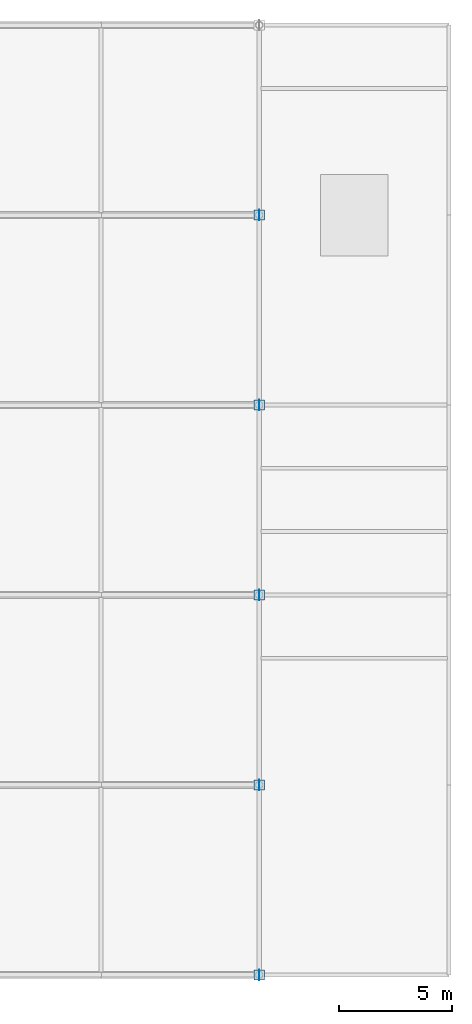
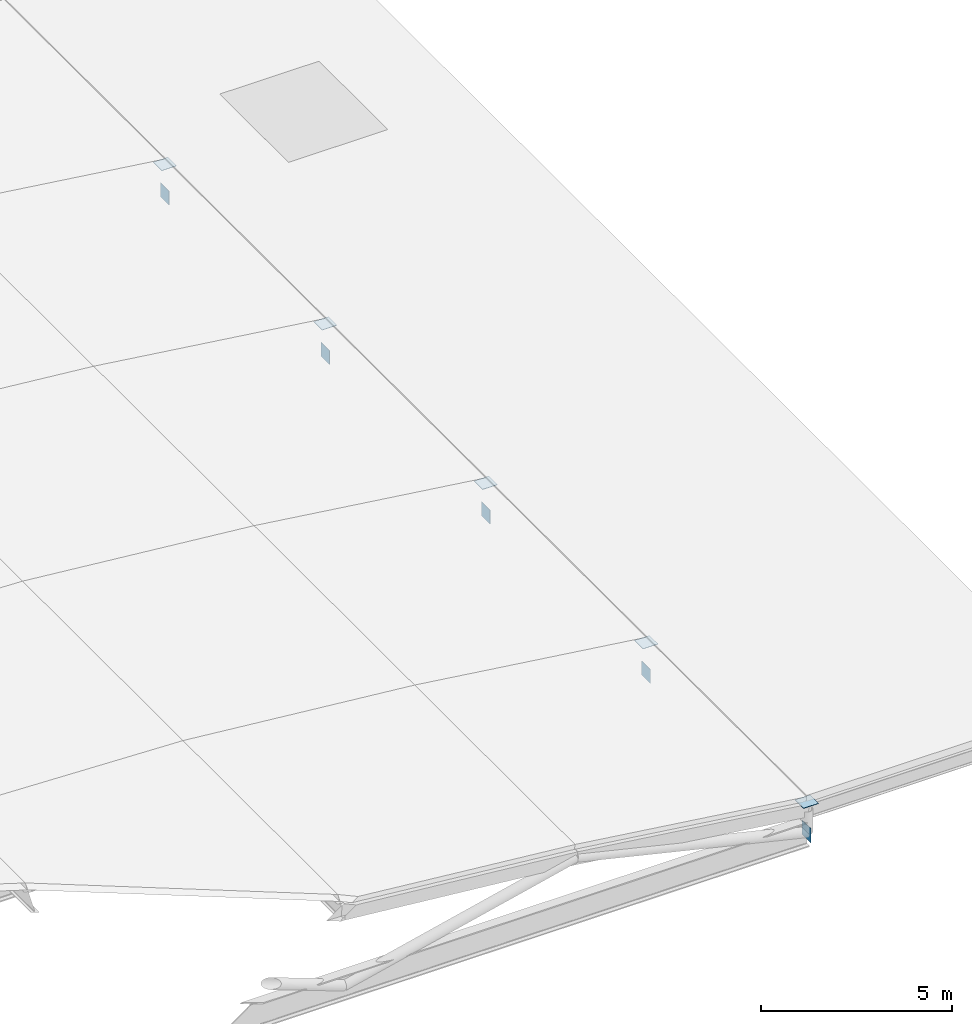
# One storey, part 10 of 11: 10 plates.
"""IFC4 building model written with IfcOpenShell, lengths in metres."""

from ifc_helpers import new_model, si_unit, direction, frame, origin, origin_2d, place, context, subcontext, project, spatial, rectangle, extrude, material, layer, layer_set, type_object, element, save


model = new_model("IFC4")

# Units and contexts
model_context = context("Model", 3, precision=1e-05, world=origin(), true_north=direction((0.0, 1.0)))
body_context = subcontext(model_context, "Body", "Model", "MODEL_VIEW")
ifc_project = project(units=[si_unit("LENGTHUNIT", "METRE"), si_unit("AREAUNIT", "SQUARE_METRE"), si_unit("VOLUMEUNIT", "CUBIC_METRE"), si_unit("PLANEANGLEUNIT", "RADIAN"), si_unit("MASSUNIT", "GRAM", prefix="KILO"), si_unit("THERMODYNAMICTEMPERATUREUNIT", "KELVIN"), si_unit("POWERUNIT", "WATT")], contexts=[model_context])

# Site, building, storey
site_placement = place(None, origin())
site = spatial("IfcSite", under=ifc_project, at=site_placement, CompositionType="ELEMENT")
building_placement = place(site_placement, origin())
building = spatial("IfcBuilding", under=site, at=building_placement, Name="Tembeka Court Mobility Hub", CompositionType="ELEMENT")
storey_placement = place(building_placement, frame((0.0, 0.0, 28.800048828125)))
storey = spatial("IfcBuildingStorey", under=building, at=storey_placement, Name="RF", CompositionType="ELEMENT", Elevation=28.800048828125)

# Plates
ifc_material = material(Name="Steel S355", Category="steel")
ifc_layer = layer(ifc_material, 0.011962890625)
ifc_layer_set = layer_set([ifc_layer], Name="Steel S355")
plate_type = type_object("IfcPlateType", Name="PL-NDP02", PredefinedType="USERDEFINED", material=ifc_layer_set)
plate_1_placement = place(storey_placement, frame((84.0, 38.39990234375, -1.375), z_axis=(0.0, 0.0, 1.0), x_axis=(1.0, 0.0, 0.0)))
element("IfcPlate", 1, at=plate_1_placement, inside=storey, type_object=plate_type, Name="Sports arch springing cast-in embed plate NDP02-1-B2", ObjectType="GUSSET PLATE", PredefinedType="USERDEFINED", context=body_context, shape_type="SweptSolid", body=[
    extrude(rectangle(XDim=0.011962890625, YDim=0.449951171875, at=origin_2d()), origin(), (0.0, 0.0, 1.0), 0.449951171875),
])
plate_2_placement = place(storey_placement, frame((84.0, 38.39990234375, -0.2060546875), z_axis=(0.0, 0.0, 1.0), x_axis=(1.0, 0.0, 0.0)))
element("IfcPlate", 2, at=plate_2_placement, inside=storey, type_object=plate_type, Name="Sports arch springing gusset plate NDP02-1-5", ObjectType="GUSSET PLATE", PredefinedType="USERDEFINED", context=body_context, shape_type="SweptSolid", body=[
    extrude(rectangle(XDim=0.449951171875, YDim=0.449951171875, at=origin_2d()), origin(), (0.0, 0.0, 1.0), 0.011962890625),
])
plate_3_placement = place(storey_placement, frame((84.0, 46.800048828125, -1.375), z_axis=(0.0, 0.0, 1.0), x_axis=(1.0, 0.0, 0.0)))
element("IfcPlate", 3, at=plate_3_placement, inside=storey, type_object=plate_type, Name="Sports arch springing cast-in embed plate NDP02-2-B2", ObjectType="GUSSET PLATE", PredefinedType="USERDEFINED", context=body_context, shape_type="SweptSolid", body=[
    extrude(rectangle(XDim=0.011962890625, YDim=0.449951171875, at=origin_2d()), origin(), (0.0, 0.0, 1.0), 0.449951171875),
])
plate_4_placement = place(storey_placement, frame((84.0, 46.800048828125, -0.2060546875), z_axis=(0.0, 0.0, 1.0), x_axis=(1.0, 0.0, 0.0)))
element("IfcPlate", 4, at=plate_4_placement, inside=storey, type_object=plate_type, Name="Sports arch springing gusset plate NDP02-2-5", ObjectType="GUSSET PLATE", PredefinedType="USERDEFINED", context=body_context, shape_type="SweptSolid", body=[
    extrude(rectangle(XDim=0.449951171875, YDim=0.449951171875, at=origin_2d()), origin(), (0.0, 0.0, 1.0), 0.011962890625),
])
plate_5_placement = place(storey_placement, frame((84.0, 55.199951171875, -1.375), z_axis=(0.0, 0.0, 1.0), x_axis=(1.0, 0.0, 0.0)))
element("IfcPlate", 5, at=plate_5_placement, inside=storey, type_object=plate_type, Name="Sports arch springing cast-in embed plate NDP02-3-B2", ObjectType="GUSSET PLATE", PredefinedType="USERDEFINED", context=body_context, shape_type="SweptSolid", body=[
    extrude(rectangle(XDim=0.011962890625, YDim=0.449951171875, at=origin_2d()), origin(), (0.0, 0.0, 1.0), 0.449951171875),
])
plate_6_placement = place(storey_placement, frame((84.0, 55.199951171875, -0.2060546875), z_axis=(0.0, 0.0, 1.0), x_axis=(1.0, 0.0, 0.0)))
element("IfcPlate", 6, at=plate_6_placement, inside=storey, type_object=plate_type, Name="Sports arch springing gusset plate NDP02-3-5", ObjectType="GUSSET PLATE", PredefinedType="USERDEFINED", context=body_context, shape_type="SweptSolid", body=[
    extrude(rectangle(XDim=0.449951171875, YDim=0.449951171875, at=origin_2d()), origin(), (0.0, 0.0, 1.0), 0.011962890625),
])
plate_7_placement = place(storey_placement, frame((84.0, 63.60009765625, -1.375), z_axis=(0.0, 0.0, 1.0), x_axis=(1.0, 0.0, 0.0)))
element("IfcPlate", 7, at=plate_7_placement, inside=storey, type_object=plate_type, Name="Sports arch springing cast-in embed plate NDP02-4-B2", ObjectType="GUSSET PLATE", PredefinedType="USERDEFINED", context=body_context, shape_type="SweptSolid", body=[
    extrude(rectangle(XDim=0.011962890625, YDim=0.449951171875, at=origin_2d()), origin(), (0.0, 0.0, 1.0), 0.449951171875),
])
plate_8_placement = place(storey_placement, frame((84.0, 63.60009765625, -0.2060546875), z_axis=(0.0, 0.0, 1.0), x_axis=(1.0, 0.0, 0.0)))
element("IfcPlate", 8, at=plate_8_placement, inside=storey, type_object=plate_type, Name="Sports arch springing gusset plate NDP02-4-5", ObjectType="GUSSET PLATE", PredefinedType="USERDEFINED", context=body_context, shape_type="SweptSolid", body=[
    extrude(rectangle(XDim=0.449951171875, YDim=0.449951171875, at=origin_2d()), origin(), (0.0, 0.0, 1.0), 0.011962890625),
])
plate_9_placement = place(storey_placement, frame((84.0, 72.0, -1.375), z_axis=(0.0, 0.0, 1.0), x_axis=(1.0, 0.0, 0.0)))
element("IfcPlate", 9, at=plate_9_placement, inside=storey, type_object=plate_type, Name="Sports arch springing cast-in embed plate NDP02-5-B2", ObjectType="GUSSET PLATE", PredefinedType="USERDEFINED", context=body_context, shape_type="SweptSolid", body=[
    extrude(rectangle(XDim=0.011962890625, YDim=0.449951171875, at=origin_2d()), origin(), (0.0, 0.0, 1.0), 0.449951171875),
])
plate_10_placement = place(storey_placement, frame((84.0, 72.0, -0.2060546875), z_axis=(0.0, 0.0, 1.0), x_axis=(1.0, 0.0, 0.0)))
element("IfcPlate", 10, at=plate_10_placement, inside=storey, type_object=plate_type, Name="Sports arch springing gusset plate NDP02-5-5", ObjectType="GUSSET PLATE", PredefinedType="USERDEFINED", context=body_context, shape_type="SweptSolid", body=[
    extrude(rectangle(XDim=0.449951171875, YDim=0.449951171875, at=origin_2d()), origin(), (0.0, 0.0, 1.0), 0.011962890625),
])

save(model, "model.ifc")
